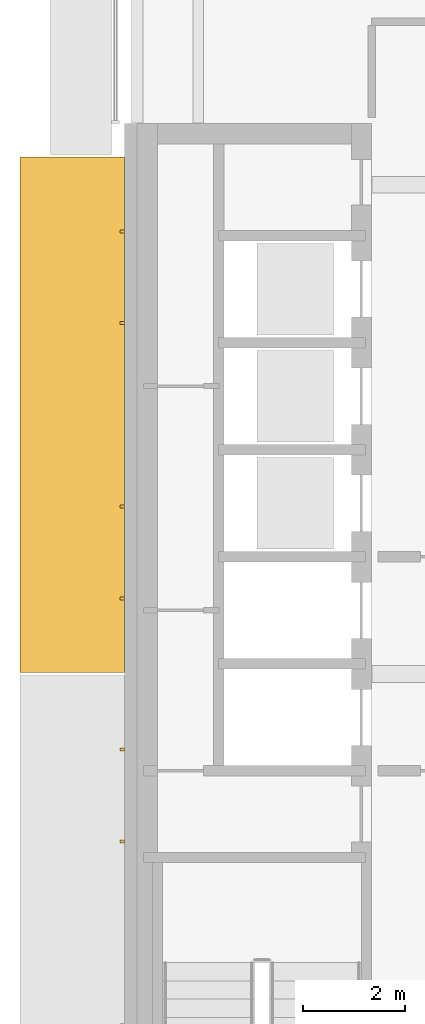
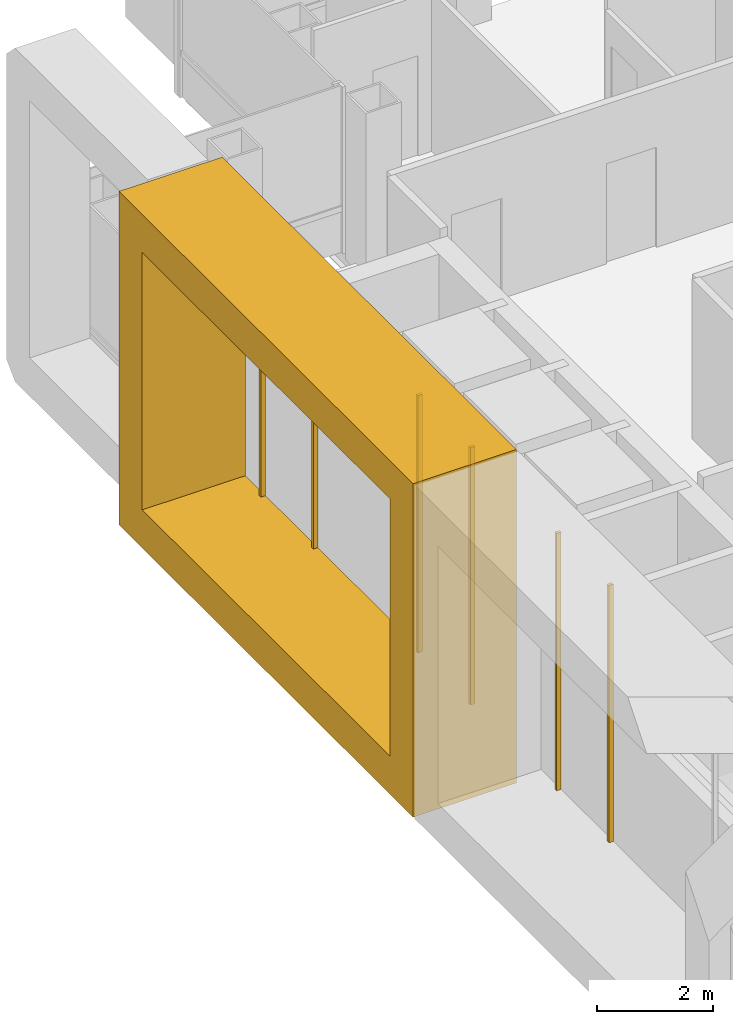
# One storey, part 15 of 19: 7 coverings.
"""IFC4 building model written with IfcOpenShell, lengths in metres."""

from ifc_helpers import new_model, si_unit, direction, frame, origin, origin_2d, place, context, subcontext, project, spatial, polyline, rectangle, outline, extrude, material, type_object, element, save


model = new_model("IFC4")

# Units and contexts
model_context = context("Model", 3, precision=1e-05, world=origin(), true_north=direction((0.0, 1.0)))
body_context = subcontext(model_context, "Body", "Model", "MODEL_VIEW")
ifc_project = project(units=[si_unit("LENGTHUNIT", "METRE"), si_unit("AREAUNIT", "SQUARE_METRE"), si_unit("VOLUMEUNIT", "CUBIC_METRE"), si_unit("PLANEANGLEUNIT", "RADIAN"), si_unit("MASSUNIT", "GRAM", prefix="KILO")], contexts=[model_context])

# Site, building, storey
site_placement = place(None, origin())
site = spatial("IfcSite", under=ifc_project, at=site_placement, CompositionType="ELEMENT")
building_placement = place(site_placement, origin())
building = spatial("IfcBuilding", under=site, at=building_placement, Name="Cobrizo Arcos Hotel Tower", CompositionType="ELEMENT")
storey_placement = place(building_placement, frame((0.0, 0.0, 198.0)))
storey = spatial("IfcBuildingStorey", under=building, at=storey_placement, Name="L51", CompositionType="ELEMENT", Elevation=198.0)

# Coverings
ifc_material_1 = material(Name="Aluminium 6063-T6 anodised bronze", Category="aluminium")
covering_type_1 = type_object("IfcCoveringType", Name="FIN-F 2050", PredefinedType="CLADDING", material=ifc_material_1)
covering_placement = place(storey_placement, frame((-20.64990234375, 10.1416015625, 0.0), z_axis=(-1.0, 0.0, 0.0), x_axis=(0.0, -1.0, 0.0)))
element("IfcCovering", 1, at=covering_placement, inside=storey, type_object=covering_type_1, Name="Fin frame 346", PredefinedType="CLADDING", context=body_context, shape_type="SweptSolid", body=[
    extrude(outline(polyline([(0.0, 7.0), (0.0, 0.0), (10.11669921875, 0.0), (10.11669921875, 7.0), (0.0, 7.0)]), holes=[polyline([(9.316650390625, 0.800048828125), (0.800048828125, 0.800048828125), (0.800048828125, 6.199951171875), (9.316650390625, 6.199951171875), (9.316650390625, 0.800048828125)])]), origin(), (0.0, 0.0, 1.0), 2.050048828125),
])
ifc_material_2 = material(Name="Aluminium 6063-T6 anodised pale", Category="aluminium")
covering_type_2 = type_object("IfcCoveringType", Name="RS-1 rainscreen rib 60x90", PredefinedType="CLADDING", material=ifc_material_2)
for number, where, z_axis, x_axis, name in (
    (2, (-20.695068359375, 8.683349609375, 0.800048828125), (0.0, 0.0, 1.0), (0.0, -1.0, 0.0), "Rainscreen rib 217"),
    (3, (-20.695068359375, 6.88330078125, 0.800048828125), (0.0, 0.0, 1.0), (0.0, -1.0, 0.0), "Rainscreen rib 218"),
    (4, (-20.695068359375, 3.283447265625, 0.800048828125), (0.0, 0.0, 1.0), (0.0, -1.0, 0.0), "Rainscreen rib 219"),
    (5, (-20.695068359375, 1.4833984375, 0.800048828125), (0.0, 0.0, 1.0), (0.0, -1.0, 0.0), "Rainscreen rib 220"),
    (6, (-20.695068359375, -1.4833984375, 0.800048828125), (0.0, 0.0, 1.0), (0.0, -1.0, 0.0), "Rainscreen rib 221"),
    (7, (-20.695068359375, -3.283447265625, 0.800048828125), (0.0, 0.0, 1.0), (0.0, -1.0, 0.0), "Rainscreen rib 222"),
):
    element("IfcCovering", number, at=place(storey_placement, frame(where, z_axis=z_axis, x_axis=x_axis)), inside=storey, type_object=covering_type_2, Name=name, PredefinedType="CLADDING", context=body_context, shape_type="SweptSolid", body=[
        extrude(rectangle(XDim=0.06005859375, YDim=0.090087890625, at=origin_2d()), origin(), (0.0, 0.0, 1.0), 5.39990234375),
    ])

save(model, "model.ifc")
